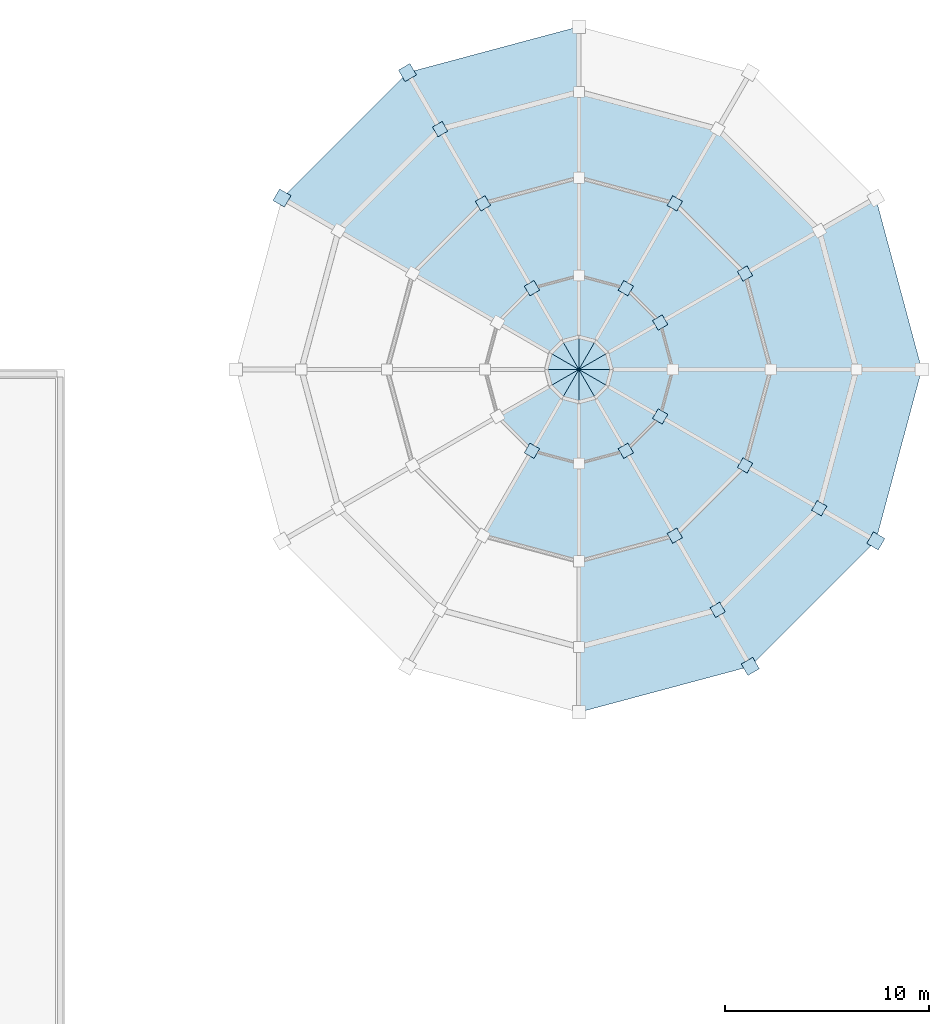
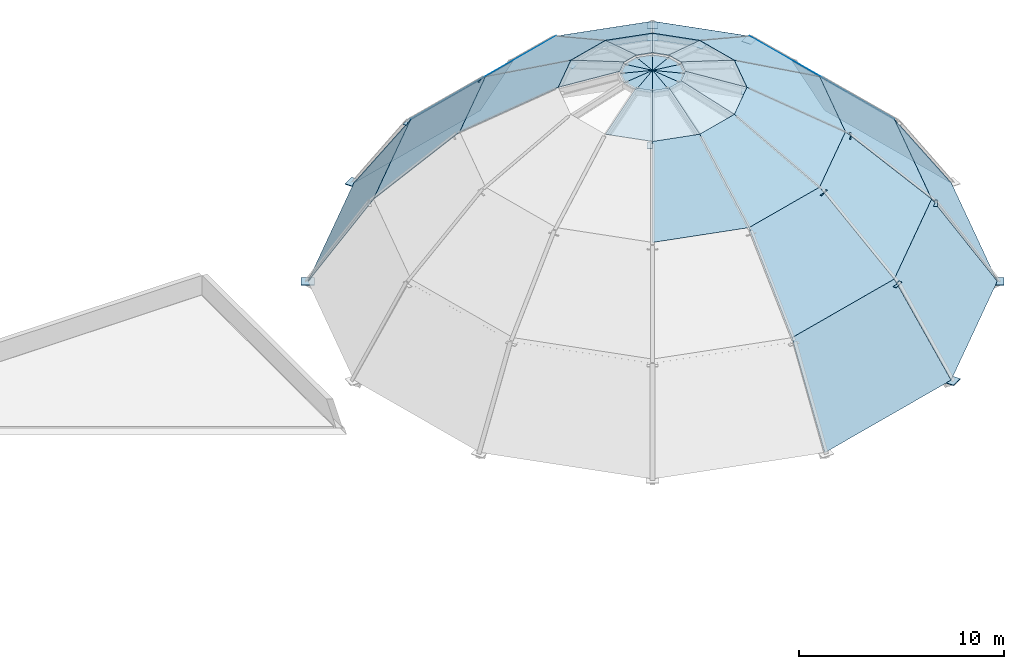
# One storey, part 3 of 5: 63 plates.
"""IFC4 building model written with IfcOpenShell, lengths in metres."""

from ifc_helpers import new_model, si_unit, derived_unit, direction, frame, origin, origin_2d, place, context, subcontext, project, spatial, polyline, rectangle, outline, extrude, material, layer, layer_set, type_object, element, save


model = new_model("IFC4")

# Units and contexts
model_context = context("Model", 3, precision=1e-05, world=origin(), true_north=direction((0.0, 1.0)))
body_context = subcontext(model_context, "Body", "Model", "MODEL_VIEW")
ifc_project = project(units=[si_unit("LENGTHUNIT", "METRE"), si_unit("AREAUNIT", "SQUARE_METRE"), si_unit("VOLUMEUNIT", "CUBIC_METRE"), si_unit("PLANEANGLEUNIT", "RADIAN"), si_unit("MASSUNIT", "GRAM", prefix="KILO"), derived_unit("THERMALTRANSMITTANCEUNIT", [(si_unit("POWERUNIT", "WATT"), 1), (si_unit("LENGTHUNIT", "METRE"), -2), (si_unit("THERMODYNAMICTEMPERATUREUNIT", "KELVIN"), -1)])], contexts=[model_context])

# Site, building, storey
site_placement = place(None, origin())
site = spatial("IfcSite", under=ifc_project, at=site_placement, CompositionType="ELEMENT")
building_placement = place(site_placement, origin())
building = spatial("IfcBuilding", under=site, at=building_placement, Name="Veybourne Emporium", CompositionType="ELEMENT")
storey_placement = place(building_placement, frame((0.0, 0.0, 36.60009765625)))
storey = spatial("IfcBuildingStorey", under=building, at=storey_placement, Name="ROOF", CompositionType="ELEMENT", Elevation=36.60009765625)

# Plates
ifc_material_1 = material(Name="Solar Control Laminated Glass", Category="glass")
ifc_layer_1 = layer(ifc_material_1, 0.031982421875)
ifc_layer_set_1 = layer_set([ifc_layer_1], Name="Solar Control Laminated Glass")
plate_type_1 = type_object("IfcPlateType", Name="GlazingPlate_DG-01", PredefinedType="SHEET", material=ifc_layer_set_1)
for number, where, z_axis, x_axis, name in (
    (1, (92.39990234375, 50.39990234375, -8.3740234375), (0.816962921341, 0.218897774716, 0.533531020071), (-0.258811250046, 0.965927914934, -5.17686e-07), "Atrium dome laminated glazing panel DG-01 sector 1 tier 1"),
    (2, (75.60009765625, 67.199951171875, -8.3740234375), (-0.218897774716, 0.816962921341, 0.533531020071), (-0.965927914934, -0.258811250046, -5.17686e-07), "Atrium dome laminated glazing panel DG-01 sector 4 tier 1"),
):
    element("IfcPlate", number, at=place(storey_placement, frame(where, z_axis=z_axis, x_axis=x_axis)), inside=storey, type_object=plate_type_1, Name=name, PredefinedType="SHEET", context=body_context, shape_type="SweptSolid", body=[
        extrude(outline(polyline([(0.0, 0.0), (8.696450850419716, 2.220446049250313e-16), (7.868097470250385, 5.793354693261335), (0.8281808262662878, 5.793345061327232), (0.0, 0.0)])), origin(), (0.0, 0.0, -1.0), 0.031982421875),
    ])
plate_1_placement = place(storey_placement, frame((67.199951171875, 64.94921875, -8.3740234375), z_axis=(-0.59805322622, 0.59805322622, 0.533539761608), x_axis=(-0.707106781187, -0.707106781187, 0.0)))
element("IfcPlate", 3, at=plate_1_placement, inside=storey, type_object=plate_type_1, Name="Atrium dome laminated glazing panel DG-01 sector 5 tier 1", PredefinedType="SHEET", context=body_context, shape_type="SweptSolid", body=[
    extrude(outline(polyline([(0.0, 0.0), (8.69623950085233, 0.0), (7.868116642123847, 5.793387649320011), (0.8281228587284835, 5.793387649320012), (0.0, 0.0)])), origin(), (0.0, 0.0, -1.0), 0.031982421875),
])
plate_2_placement = place(storey_placement, frame((75.60009765625, 33.60009765625, -8.3740234375), z_axis=(0.218904335615, -0.816961163334, 0.533531020141), x_axis=(0.96592589278, 0.258818796952, -8.6286e-07)))
element("IfcPlate", 4, at=plate_2_placement, inside=storey, type_object=plate_type_1, Name="Atrium dome laminated glazing panel DG-01 sector 10 tier 1", PredefinedType="SHEET", context=body_context, shape_type="SweptSolid", body=[
    extrude(outline(polyline([(0.0, 0.0), (8.696215028345277, 0.0), (7.867884106792175, 5.793357904414631), (0.8282032846798882, 5.7933418507557946), (0.0, 0.0)])), origin(), (0.0, 0.0, -1.0), 0.031982421875),
])
plate_3_placement = place(storey_placement, frame((84.0, 35.850830078125, -8.3740234375), z_axis=(0.59805322622, -0.59805322622, 0.533539761608), x_axis=(0.707106781187, 0.707106781187, 0.0)))
element("IfcPlate", 5, at=plate_3_placement, inside=storey, type_object=plate_type_1, Name="Atrium dome laminated glazing panel DG-01 sector 11 tier 1", PredefinedType="SHEET", context=body_context, shape_type="SweptSolid", body=[
    extrude(outline(polyline([(0.0, 0.0), (8.69623950085233, 0.0), (7.868116642123847, 5.793387649320011), (0.8281228587284835, 5.793387649320012), (0.0, 0.0)])), origin(), (0.0, 0.0, -1.0), 0.031982421875),
])
plate_4_placement = place(storey_placement, frame((90.149169921875, 42.0, -8.3740234375), z_axis=(0.816961163334, -0.218904335615, 0.533531020141), x_axis=(0.258818796952, 0.96592589278, 8.6286e-07)))
element("IfcPlate", 6, at=plate_4_placement, inside=storey, type_object=plate_type_1, Name="Atrium dome laminated glazing panel DG-01 sector 12 tier 1", PredefinedType="SHEET", context=body_context, shape_type="SweptSolid", body=[
    extrude(outline(polyline([(0.0, 0.0), (8.696215028345277, 0.0), (7.868011743665389, 5.7933418507557946), (0.8283309215531014, 5.793357904414631), (0.0, 0.0)])), origin(), (0.0, 0.0, -1.0), 0.031982421875),
])
ifc_layer_2 = layer(ifc_material_1, 0.030029296875)
ifc_layer_set_2 = layer_set([ifc_layer_2], Name="Solar Control Laminated Glass")
plate_type_2 = type_object("IfcPlateType", Name="GlazingPlate_DG-02", PredefinedType="SHEET", material=ifc_layer_set_2)
plate_5_placement = place(storey_placement, frame((89.199951171875, 50.39990234375, -3.47607421875), z_axis=(0.67818352072, 0.181707976117, 0.712073959388), x_axis=(-0.25880890424, 0.965928543459, 4.231534e-06)))
element("IfcPlate", 7, at=plate_5_placement, inside=storey, type_object=plate_type_2, Name="Atrium dome laminated glazing panel DG-02 sector 1 tier 2", PredefinedType="SHEET", context=body_context, shape_type="SweptSolid", body=[
    extrude(outline(polyline([(0.0, 0.0), (7.039916643871438, 0.0), (5.952966688432136, 5.697122042564775), (1.0870016867875552, 5.697193798468244), (0.0, 0.0)])), origin(), (0.0, 0.0, -1.0), 0.030029296875),
])
plate_6_placement = place(storey_placement, frame((87.3779296875, 57.199951171875, -3.47607421875), z_axis=(0.49645544555, 0.496469843075, 0.712074213478), x_axis=(-0.707111835431, 0.707101726869, -7.249334e-06)))
element("IfcPlate", 8, at=plate_6_placement, inside=storey, type_object=plate_type_2, Name="Atrium dome laminated glazing panel DG-02 sector 2 tier 2", PredefinedType="SHEET", context=body_context, shape_type="SweptSolid", body=[
    extrude(outline(polyline([(0.0, 0.0), (7.0399937830305355, 0.0), (5.952748054232931, 5.6972214749763825), (1.087073095306095, 5.697098547118697), (0.0, 0.0)])), origin(), (0.0, 0.0, -1.0), 0.030029296875),
])
plate_7_placement = place(storey_placement, frame((82.39990234375, 62.177978515625, -3.47607421875), z_axis=(0.181725929815, 0.678167998106, 0.712084161302), x_axis=(-0.965923484146, 0.258827785858, 6.490662e-06)))
element("IfcPlate", 9, at=plate_7_placement, inside=storey, type_object=plate_type_2, Name="Atrium dome laminated glazing panel DG-02 sector 3 tier 2", PredefinedType="SHEET", context=body_context, shape_type="SweptSolid", body=[
    extrude(outline(polyline([(0.0, 0.0), (7.039680821852201, -2.220446049250313e-16), (5.952642721969795, 5.697186850667692), (1.0868503536724998, 5.697296913402186), (0.0, 0.0)])), origin(), (0.0, 0.0, -1.0), 0.030029296875),
])
plate_8_placement = place(storey_placement, frame((75.60009765625, 64.0, -3.47607421875), z_axis=(-0.181718730893, 0.678169927011, 0.712084161417), x_axis=(-0.965926016454, -0.258818335336, -5.671048e-06)))
element("IfcPlate", 10, at=plate_8_placement, inside=storey, type_object=plate_type_2, Name="Atrium dome laminated glazing panel DG-02 sector 4 tier 2", PredefinedType="SHEET", context=body_context, shape_type="SweptSolid", body=[
    extrude(outline(polyline([(0.0, 0.0), (7.039916643772486, 2.220446049250313e-16), (5.953029875267367, 5.697289966656303), (1.0870016866049301, 5.697193798380815), (0.0, 0.0)])), origin(), (0.0, 0.0, -1.0), 0.030029296875),
])
plate_9_placement = place(storey_placement, frame((68.800048828125, 62.177978515625, -3.47607421875), z_axis=(-0.496457288348, 0.496457288348, 0.712081681896), x_axis=(-0.707106781187, -0.707106781187, 0.0)))
element("IfcPlate", 11, at=plate_9_placement, inside=storey, type_object=plate_type_2, Name="Atrium dome laminated glazing panel DG-02 sector 5 tier 2", PredefinedType="SHEET", context=body_context, shape_type="SweptSolid", body=[
    extrude(outline(polyline([(0.0, 0.0), (7.039993783395364, 0.0), (5.952748053924446, 5.697221475298704), (1.087245729470917, 5.697221475298704), (0.0, 0.0)])), origin(), (0.0, 0.0, -1.0), 0.030029296875),
])
plate_10_placement = place(storey_placement, frame((75.60009765625, 36.800048828125, -3.47607421875), z_axis=(0.181715174663, -0.678181591962, 0.712073959376), x_axis=(0.965926011338, 0.258818354465, 3.412284e-06)))
element("IfcPlate", 12, at=plate_10_placement, inside=storey, type_object=plate_type_2, Name="Atrium dome laminated glazing panel DG-02 sector 10 tier 2", PredefinedType="SHEET", context=body_context, shape_type="SweptSolid", body=[
    extrude(outline(polyline([(0.0, 0.0), (7.039680822063813, 0.0), (5.952767279132512, 5.697128989615), (1.0870381002729546, 5.697186850854652), (0.0, 0.0)])), origin(), (0.0, 0.0, -1.0), 0.030029296875),
])
plate_11_placement = place(storey_placement, frame((82.39990234375, 38.6220703125, -3.47607421875), z_axis=(0.496468000543, -0.496468000543, 0.712066744676), x_axis=(0.707106781187, 0.707106781187, 0.0)))
element("IfcPlate", 13, at=plate_11_placement, inside=storey, type_object=plate_type_2, Name="Atrium dome laminated glazing panel DG-02 sector 11 tier 2", PredefinedType="SHEET", context=body_context, shape_type="SweptSolid", body=[
    extrude(outline(polyline([(0.0, 0.0), (7.039993783395364, 0.0), (5.952920687415947, 5.697098547441042), (1.0870730959794168, 5.697098547441042), (0.0, 0.0)])), origin(), (0.0, 0.0, -1.0), 0.030029296875),
])
plate_12_placement = place(storey_placement, frame((87.3779296875, 43.60009765625, -3.47607421875), z_axis=(0.678181591962, -0.181715174663, 0.712073959376), x_axis=(0.258818354465, 0.965926011338, -3.412284e-06)))
element("IfcPlate", 14, at=plate_12_placement, inside=storey, type_object=plate_type_2, Name="Atrium dome laminated glazing panel DG-02 sector 12 tier 2", PredefinedType="SHEET", context=body_context, shape_type="SweptSolid", body=[
    extrude(outline(polyline([(0.0, 0.0), (7.039680822063813, 0.0), (5.952642721790858, 5.697186850854652), (1.0869135429313004, 5.697128989615001), (0.0, 0.0)])), origin(), (0.0, 0.0, -1.0), 0.030029296875),
])
ifc_layer_3 = layer(ifc_material_1, 0.028076171875)
ifc_layer_set_3 = layer_set([ifc_layer_3], Name="Solar Control Laminated Glass")
plate_type_3 = type_object("IfcPlateType", Name="GlazingPlate_DG-03", PredefinedType="SHEET", material=ifc_layer_set_3)
plate_13_placement = place(storey_placement, frame((85.0, 50.39990234375, 0.52197265625), z_axis=(0.479300578548, 0.128413038203, 0.868205647887), x_axis=(-0.258792339799, 0.965932981557, 1.070399e-06)))
element("IfcPlate", 15, at=plate_13_placement, inside=storey, type_object=plate_type_3, Name="Atrium dome laminated glazing panel DG-03 sector 1 tier 3", PredefinedType="SHEET", context=body_context, shape_type="SweptSolid", body=[
    extrude(outline(polyline([(0.0, 0.0), (4.865965002349795, -2.220446049250313e-16), (3.6233823964365315, 5.340334905330654), (1.2422187038329708, 5.3403505386451435), (0.0, 0.0)])), origin(), (0.0, 0.0, -1.0), 0.028076171875),
])
plate_14_placement = place(storey_placement, frame((83.74072265625, 55.10009765625, 0.52197265625), z_axis=(0.350861910494, 0.35087862696, 0.868205107625), x_axis=(-0.707129839078, 0.707083722525, 5.022547e-06)))
element("IfcPlate", 16, at=plate_14_placement, inside=storey, type_object=plate_type_3, Name="Atrium dome laminated glazing panel DG-03 sector 2 tier 3", PredefinedType="SHEET", context=body_context, shape_type="SweptSolid", body=[
    extrude(outline(polyline([(0.0, 0.0), (4.865674960926119, 4.440892098500626e-16), (3.6237414899771156, 5.340295869109022), (1.2424351095136743, 5.340369222394891), (0.0, 0.0)])), origin(), (0.0, 0.0, -1.0), 0.028076171875),
])
plate_15_placement = place(storey_placement, frame((80.300048828125, 58.54052734375, 0.52197265625), z_axis=(0.128439455159, 0.479303347503, 0.868200211605), x_axis=(-0.965917807937, 0.258848968076, -6.012342e-06)))
element("IfcPlate", 17, at=plate_15_placement, inside=storey, type_object=plate_type_3, Name="Atrium dome laminated glazing panel DG-03 sector 3 tier 3", PredefinedType="SHEET", context=body_context, shape_type="SweptSolid", body=[
    extrude(outline(polyline([(0.0, 0.0), (4.86579236984851, 2.220446049250313e-16), (3.6232887518560117, 5.340284256660507), (1.242360884133728, 5.3401964522962695), (0.0, 0.0)])), origin(), (0.0, 0.0, -1.0), 0.028076171875),
])
plate_16_placement = place(storey_placement, frame((75.60009765625, 59.800048828125, 0.52197265625), z_axis=(-0.128431096425, 0.479305587374, 0.868200211578), x_axis=(-0.965921453323, -0.25883536456, 7.930351e-06)))
element("IfcPlate", 18, at=plate_16_placement, inside=storey, type_object=plate_type_3, Name="Atrium dome laminated glazing panel DG-03 sector 4 tier 3", PredefinedType="SHEET", context=body_context, shape_type="SweptSolid", body=[
    extrude(outline(polyline([(0.0, 0.0), (4.866028189732731, 2.220446049250313e-16), (3.6236070924207513, 5.3401824436677385), (1.2424434029900202, 5.340298266219493), (0.0, 0.0)])), origin(), (0.0, 0.0, -1.0), 0.028076171875),
])
plate_17_placement = place(storey_placement, frame((70.89990234375, 58.54052734375, 0.52197265625), z_axis=(-0.350875192439, 0.350875192439, 0.868201128001), x_axis=(-0.707106781187, -0.707106781187, 0.0)))
element("IfcPlate", 19, at=plate_17_placement, inside=storey, type_object=plate_type_3, Name="Atrium dome laminated glazing panel DG-03 sector 5 tier 3", PredefinedType="SHEET", context=body_context, shape_type="SweptSolid", body=[
    extrude(outline(polyline([(0.0, 0.0), (4.865502324453529, 0.0), (3.6234043531065545, 5.340257610476704), (1.242097971346975, 5.340257610476704), (0.0, 0.0)])), origin(), (0.0, 0.0, -1.0), 0.028076171875),
])
plate_18_placement = place(storey_placement, frame((70.89990234375, 42.25927734375, 0.52197265625), z_axis=(-0.128413038203, -0.479300578548, 0.868205647887), x_axis=(0.965932981557, -0.258792339799, -1.070399e-06)))
element("IfcPlate", 20, at=plate_18_placement, inside=storey, type_object=plate_type_3, Name="Atrium dome laminated glazing panel DG-03 sector 9 tier 3", PredefinedType="SHEET", context=body_context, shape_type="SweptSolid", body=[
    extrude(outline(polyline([(0.0, 0.0), (4.865965002349795, 2.220446049250313e-16), (3.6237462985168247, 5.3403505386451435), (1.2425826059132636, 5.340334905330654), (0.0, 0.0)])), origin(), (0.0, 0.0, -1.0), 0.028076171875),
])
plate_19_placement = place(storey_placement, frame((75.60009765625, 41.0, 0.52197265625), z_axis=(0.128421395865, -0.479298339083, 0.86820564801), x_axis=(0.965929337326, 0.258805941378, -8.47678e-07)))
element("IfcPlate", 21, at=plate_19_placement, inside=storey, type_object=plate_type_3, Name="Atrium dome laminated glazing panel DG-03 sector 10 tier 3", PredefinedType="SHEET", context=body_context, shape_type="SweptSolid", body=[
    extrude(outline(polyline([(0.0, 0.0), (4.865729179318212, 0.0), (3.623206778903744, 5.3403489135161255), (1.2422789093609097, 5.3403365338834625), (0.0, 0.0)])), origin(), (0.0, 0.0, -1.0), 0.028076171875),
])
plate_20_placement = place(storey_placement, frame((80.300048828125, 42.25927734375, 0.52197265625), z_axis=(0.350865344946, -0.350865344946, 0.868209087393), x_axis=(0.707106781187, 0.707106781187, 0.0)))
element("IfcPlate", 22, at=plate_20_placement, inside=storey, type_object=plate_type_3, Name="Atrium dome laminated glazing panel DG-03 sector 11 tier 3", PredefinedType="SHEET", context=body_context, shape_type="SweptSolid", body=[
    extrude(outline(polyline([(0.0, 0.0), (4.8658475914365305, 0.0), (3.6235769865980547, 5.340407491755794), (1.2422706048384757, 5.340407491755794), (0.0, 0.0)])), origin(), (0.0, 0.0, -1.0), 0.028076171875),
])
plate_21_placement = place(storey_placement, frame((83.74072265625, 45.699951171875, 0.52197265625), z_axis=(0.479298339083, -0.128421395865, 0.86820564801), x_axis=(0.258805941378, 0.965929337326, 8.47678e-07)))
element("IfcPlate", 23, at=plate_21_placement, inside=storey, type_object=plate_type_3, Name="Atrium dome laminated glazing panel DG-03 sector 12 tier 3", PredefinedType="SHEET", context=body_context, shape_type="SweptSolid", body=[
    extrude(outline(polyline([(0.0, 0.0), (4.865729179318212, 0.0), (3.623450269957302, 5.3403365338834625), (1.2425224004144677, 5.3403489135161255), (0.0, 0.0)])), origin(), (0.0, 0.0, -1.0), 0.028076171875),
])
ifc_layer_4 = layer(ifc_material_1, 0.02587890625)
ifc_layer_set_4 = layer_set([ifc_layer_4], Name="Solar Control Laminated Glass")
plate_type_4 = type_object("IfcPlateType", Name="GlazingPlate_DG-04", PredefinedType="SHEET", material=ifc_layer_set_4)
plate_22_placement = place(storey_placement, frame((80.199951171875, 50.39990234375, 3.169921875), z_axis=(0.300894240215, 0.08061444363, 0.950244162141), x_axis=(-0.2587859845, 0.965934684244, -1.131255e-06)))
element("IfcPlate", 24, at=plate_22_placement, inside=storey, type_object=plate_type_4, Name="Atrium dome laminated glazing panel DG-04 sector 1 tier 4", PredefinedType="SHEET", context=body_context, shape_type="SweptSolid", body=[
    extrude(outline(polyline([(0.0, 0.0), (2.3811636926607505, 1.1102230246251565e-16), (1.6046239820492443, 3.0495488702505376), (0.7763568788613069, 3.049537214985805), (0.0, 0.0)])), origin(), (0.0, 0.0, -1.0), 0.02587890625),
])
plate_23_placement = place(storey_placement, frame((79.583740234375, 52.699951171875, 3.169921875), z_axis=(0.22026700411, 0.22026700411, 0.950244649446), x_axis=(-0.707106781187, 0.707106781187, 0.0)))
element("IfcPlate", 25, at=plate_23_placement, inside=storey, type_object=plate_type_4, Name="Atrium dome laminated glazing panel DG-04 sector 2 tier 4", PredefinedType="SHEET", context=body_context, shape_type="SweptSolid", body=[
    extrude(outline(polyline([(0.0, 0.0), (2.3813063817595794, 0.0), (1.6048009369897818, 3.049557595529855), (0.7765054447697974, 3.0495575955298553), (0.0, 0.0)])), origin(), (0.0, 0.0, -1.0), 0.02587890625),
])
plate_24_placement = place(storey_placement, frame((77.89990234375, 54.3837890625, 3.169921875), z_axis=(0.080626292118, 0.30089106547, 0.950244162171), x_axis=(-0.965927494257, 0.258812820034, 4.932563e-06)))
element("IfcPlate", 26, at=plate_24_placement, inside=storey, type_object=plate_type_4, Name="Atrium dome laminated glazing panel DG-04 sector 3 tier 4", PredefinedType="SHEET", context=body_context, shape_type="SweptSolid", body=[
    extrude(outline(polyline([(0.0, 0.0), (2.3809278695476803, -1.1102230246251565e-16), (1.604494095139197, 3.049517637717765), (0.7764628140903757, 3.04956845018981), (0.0, 0.0)])), origin(), (0.0, 0.0, -1.0), 0.02587890625),
])
plate_25_placement = place(storey_placement, frame((75.60009765625, 55.0, 3.169921875), z_axis=(-0.08061444363, 0.300894240215, 0.950244162141), x_axis=(-0.965934684244, -0.2587859845, -1.131255e-06)))
element("IfcPlate", 27, at=plate_25_placement, inside=storey, type_object=plate_type_4, Name="Atrium dome laminated glazing panel DG-04 sector 4 tier 4", PredefinedType="SHEET", context=body_context, shape_type="SweptSolid", body=[
    extrude(outline(polyline([(0.0, 0.0), (2.3811636926607505, 1.1102230246251565e-16), (1.6046239820492443, 3.0495488702505376), (0.7763568788613069, 3.049537214985805), (0.0, 0.0)])), origin(), (0.0, 0.0, -1.0), 0.02587890625),
])
for number, where, z_axis, x_axis, name in (
    (28, (73.300048828125, 54.3837890625, 3.169921875), (-0.22026700411, 0.22026700411, 0.950244649446), (-0.707106781187, -0.707106781187, 0.0), "Atrium dome laminated glazing panel DG-04 sector 5 tier 4"),
    (29, (71.6162109375, 48.10009765625, 3.169921875), (-0.22026700411, -0.22026700411, 0.950244649446), (0.707106781187, -0.707106781187, 0.0), "Atrium dome laminated glazing panel DG-04 sector 8 tier 4"),
):
    element("IfcPlate", number, at=place(storey_placement, frame(where, z_axis=z_axis, x_axis=x_axis)), inside=storey, type_object=plate_type_4, Name=name, PredefinedType="SHEET", context=body_context, shape_type="SweptSolid", body=[
        extrude(outline(polyline([(0.0, 0.0), (2.3813063817595794, 0.0), (1.6048009369897818, 3.049557595529855), (0.7765054447697974, 3.0495575955298553), (0.0, 0.0)])), origin(), (0.0, 0.0, -1.0), 0.02587890625),
    ])
plate_26_placement = place(storey_placement, frame((73.300048828125, 46.416259765625, 3.169921875), z_axis=(-0.08061444363, -0.300894240215, 0.950244162141), x_axis=(0.965934684244, -0.2587859845, 1.131255e-06)))
element("IfcPlate", 30, at=plate_26_placement, inside=storey, type_object=plate_type_4, Name="Atrium dome laminated glazing panel DG-04 sector 9 tier 4", PredefinedType="SHEET", context=body_context, shape_type="SweptSolid", body=[
    extrude(outline(polyline([(0.0, 0.0), (2.3811636926607505, -1.1102230246251565e-16), (1.6048068137994433, 3.049537214985805), (0.776539710611506, 3.049548870250538), (0.0, 0.0)])), origin(), (0.0, 0.0, -1.0), 0.02587890625),
])
plate_27_placement = place(storey_placement, frame((75.60009765625, 45.800048828125, 3.169921875), z_axis=(0.080626292118, -0.30089106547, 0.950244162171), x_axis=(0.965927494257, 0.258812820034, -4.932563e-06)))
element("IfcPlate", 31, at=plate_27_placement, inside=storey, type_object=plate_type_4, Name="Atrium dome laminated glazing panel DG-04 sector 10 tier 4", PredefinedType="SHEET", context=body_context, shape_type="SweptSolid", body=[
    extrude(outline(polyline([(0.0, 0.0), (2.3809278695476803, 1.1102230246251565e-16), (1.6044650554573048, 3.04956845018981), (0.7764337744084833, 3.049517637717765), (0.0, 0.0)])), origin(), (0.0, 0.0, -1.0), 0.02587890625),
])
plate_28_placement = place(storey_placement, frame((77.89990234375, 46.416259765625, 3.169921875), z_axis=(0.22026700411, -0.22026700411, 0.950244649446), x_axis=(0.707106781187, 0.707106781187, 0.0)))
element("IfcPlate", 32, at=plate_28_placement, inside=storey, type_object=plate_type_4, Name="Atrium dome laminated glazing panel DG-04 sector 11 tier 4", PredefinedType="SHEET", context=body_context, shape_type="SweptSolid", body=[
    extrude(outline(polyline([(0.0, 0.0), (2.3813063817595794, 0.0), (1.6048009369897818, 3.049557595529855), (0.7765054447697974, 3.0495575955298553), (0.0, 0.0)])), origin(), (0.0, 0.0, -1.0), 0.02587890625),
])
plate_29_placement = place(storey_placement, frame((79.583740234375, 48.10009765625, 3.169921875), z_axis=(0.30089106547, -0.080626292118, 0.950244162171), x_axis=(0.258812820034, 0.965927494257, 4.932563e-06)))
element("IfcPlate", 33, at=plate_29_placement, inside=storey, type_object=plate_type_4, Name="Atrium dome laminated glazing panel DG-04 sector 12 tier 4", PredefinedType="SHEET", context=body_context, shape_type="SweptSolid", body=[
    extrude(outline(polyline([(0.0, 0.0), (2.3809278695476803, -1.1102230246251565e-16), (1.604494095139197, 3.049517637717765), (0.7764628140903757, 3.04956845018981), (0.0, 0.0)])), origin(), (0.0, 0.0, -1.0), 0.02587890625),
])
plate_30_placement = place(storey_placement, frame((77.199951171875, 50.39990234375, 3.989990234375), z_axis=(0.117837482265, 0.031571958935, 0.992530875682), x_axis=(-0.258799930484, 0.965930947833, 0.0)))
element("IfcPlate", 34, at=plate_30_placement, inside=storey, type_object=plate_type_4, Name="Atrium dome oculus laminated glass cap 01", PredefinedType="SHEET", context=body_context, shape_type="SweptSolid", body=[
    extrude(outline(polyline([(0.0, 0.0), (0.8282671032747939, -2.7755575615628914e-17), (0.4140419786289112, 1.556977279602678), (0.0, 0.0)])), origin(), (0.0, 0.0, -1.0), 0.02587890625),
])
plate_31_placement = place(storey_placement, frame((76.985595703125, 51.199951171875, 3.989990234375), z_axis=(0.086258882869, 0.086258882869, 0.992531515999), x_axis=(-0.707106781187, 0.707106781187, 0.0)))
element("IfcPlate", 35, at=plate_31_placement, inside=storey, type_object=plate_type_4, Name="Atrium dome oculus laminated glass cap 02", PredefinedType="SHEET", context=body_context, shape_type="SweptSolid", body=[
    extrude(outline(polyline([(0.0, 0.0), (0.8282954922199842, 0.0), (0.4139751126184915, 1.5570437724159718), (0.0, 0.0)])), origin(), (0.0, 0.0, -1.0), 0.02587890625),
])
plate_32_placement = place(storey_placement, frame((76.39990234375, 51.78564453125, 3.989990234375), z_axis=(0.031576839701, 0.117819734464, 0.992532827349), x_axis=(-0.965911197089, 0.25887363585, 0.0)))
element("IfcPlate", 36, at=plate_32_placement, inside=storey, type_object=plate_type_4, Name="Atrium dome oculus laminated glass cap 03", PredefinedType="SHEET", context=body_context, shape_type="SweptSolid", body=[
    extrude(outline(polyline([(0.0, 0.0), (0.8280312827001193, -2.7755575615628914e-17), (0.4138081847118485, 1.5571799743247312), (0.0, 0.0)])), origin(), (0.0, 0.0, -1.0), 0.02587890625),
])
plate_33_placement = place(storey_placement, frame((75.60009765625, 52.0, 3.989990234375), z_axis=(-0.031567213406, 0.117819770308, 0.992533129302), x_axis=(-0.965930947833, -0.258799930484, 0.0)))
element("IfcPlate", 37, at=plate_33_placement, inside=storey, type_object=plate_type_4, Name="Atrium dome oculus laminated glass cap 04", PredefinedType="SHEET", context=body_context, shape_type="SweptSolid", body=[
    extrude(outline(polyline([(0.0, 0.0), (0.8282671032747939, -5.551115123125783e-17), (0.4141051622056896, 1.5572113414625424), (0.0, 0.0)])), origin(), (0.0, 0.0, -1.0), 0.02587890625),
])
plate_34_placement = place(storey_placement, frame((74.800048828125, 51.78564453125, 3.989990234375), z_axis=(-0.086249391586, 0.086249391586, 0.992533165643), x_axis=(-0.707106781187, -0.707106781187, 0.0)))
element("IfcPlate", 38, at=plate_34_placement, inside=storey, type_object=plate_type_4, Name="Atrium dome oculus laminated glass cap 05", PredefinedType="SHEET", context=body_context, shape_type="SweptSolid", body=[
    extrude(outline(polyline([(0.0, 0.0), (0.8282954922199842, 0.0), (0.41414774610999205, 1.557215116739403), (0.0, 0.0)])), origin(), (0.0, 0.0, -1.0), 0.02587890625),
])
plate_35_placement = place(storey_placement, frame((74.21435546875, 51.199951171875, 3.989990234375), z_axis=(-0.117819770308, 0.031567213406, 0.992533129302), x_axis=(-0.258799930484, -0.965930947833, 0.0)))
element("IfcPlate", 39, at=plate_35_placement, inside=storey, type_object=plate_type_4, Name="Atrium dome oculus laminated glass cap 06", PredefinedType="SHEET", context=body_context, shape_type="SweptSolid", body=[
    extrude(outline(polyline([(0.0, 0.0), (0.8282671032747939, 5.551115123125783e-17), (0.4141619410691043, 1.5572113414625424), (0.0, 0.0)])), origin(), (0.0, 0.0, -1.0), 0.02587890625),
])
plate_36_placement = place(storey_placement, frame((74.0, 50.39990234375, 3.989990234375), z_axis=(-0.117819734464, -0.031576839701, 0.992532827349), x_axis=(0.25887363585, -0.965911197089, 0.0)))
element("IfcPlate", 40, at=plate_36_placement, inside=storey, type_object=plate_type_4, Name="Atrium dome oculus laminated glass cap 07", PredefinedType="SHEET", context=body_context, shape_type="SweptSolid", body=[
    extrude(outline(polyline([(0.0, 0.0), (0.8280312827001193, 2.7755575615628914e-17), (0.41422309798827084, 1.5571799743247312), (0.0, 0.0)])), origin(), (0.0, 0.0, -1.0), 0.02587890625),
])
plate_37_placement = place(storey_placement, frame((74.21435546875, 49.60009765625, 3.989990234375), z_axis=(-0.086258882869, -0.086258882869, 0.992531515999), x_axis=(0.707106781187, -0.707106781187, 0.0)))
element("IfcPlate", 41, at=plate_37_placement, inside=storey, type_object=plate_type_4, Name="Atrium dome oculus laminated glass cap 08", PredefinedType="SHEET", context=body_context, shape_type="SweptSolid", body=[
    extrude(outline(polyline([(0.0, 0.0), (0.8282954922199842, 0.0), (0.4143203796014927, 1.5570437724159718), (0.0, 0.0)])), origin(), (0.0, 0.0, -1.0), 0.02587890625),
])
plate_38_placement = place(storey_placement, frame((74.800048828125, 49.014404296875, 3.989990234375), z_axis=(-0.031571958935, -0.117837482265, 0.992530875682), x_axis=(0.965930947833, -0.258799930484, 0.0)))
element("IfcPlate", 42, at=plate_38_placement, inside=storey, type_object=plate_type_4, Name="Atrium dome oculus laminated glass cap 09", PredefinedType="SHEET", context=body_context, shape_type="SweptSolid", body=[
    extrude(outline(polyline([(0.0, 0.0), (0.8282671032747939, 2.7755575615628914e-17), (0.4142251246458827, 1.556977279602678), (0.0, 0.0)])), origin(), (0.0, 0.0, -1.0), 0.02587890625),
])
plate_39_placement = place(storey_placement, frame((75.60009765625, 48.800048828125, 3.989990234375), z_axis=(0.031581586674, -0.117837446405, 0.992530573639), x_axis=(0.965911197089, 0.25887363585, 0.0)))
element("IfcPlate", 43, at=plate_39_placement, inside=storey, type_object=plate_type_4, Name="Atrium dome oculus laminated glass cap 10", PredefinedType="SHEET", context=body_context, shape_type="SweptSolid", body=[
    extrude(outline(polyline([(0.0, 0.0), (0.8280312827001193, 0.0), (0.41415989641701845, 1.5569459173220321), (0.0, 0.0)])), origin(), (0.0, 0.0, -1.0), 0.02587890625),
])
plate_40_placement = place(storey_placement, frame((76.39990234375, 49.014404296875, 3.989990234375), z_axis=(0.086268376226, -0.086268376226, 0.992529865811), x_axis=(0.707106781187, 0.707106781187, 0.0)))
element("IfcPlate", 44, at=plate_40_placement, inside=storey, type_object=plate_type_4, Name="Atrium dome oculus laminated glass cap 11", PredefinedType="SHEET", context=body_context, shape_type="SweptSolid", body=[
    extrude(outline(polyline([(0.0, 0.0), (0.8282954922199842, 0.0), (0.41414774610999217, 1.5568724283773714), (0.0, 0.0)])), origin(), (0.0, 0.0, -1.0), 0.02587890625),
])
plate_41_placement = place(storey_placement, frame((76.985595703125, 49.60009765625, 3.989990234375), z_axis=(0.117837446405, -0.031581586674, 0.992530573639), x_axis=(0.25887363585, 0.965911197089, 0.0)))
element("IfcPlate", 45, at=plate_41_placement, inside=storey, type_object=plate_type_4, Name="Atrium dome oculus laminated glass cap 12", PredefinedType="SHEET", context=body_context, shape_type="SweptSolid", body=[
    extrude(outline(polyline([(0.0, 0.0), (0.8280312827001193, 0.0), (0.4138713862831009, 1.5569459173220321), (0.0, 0.0)])), origin(), (0.0, 0.0, -1.0), 0.02587890625),
])
ifc_material_2 = material(Name="Steel S355", Category="steel")
ifc_layer_5 = layer(ifc_material_2, 0.034912109375)
ifc_layer_set_5 = layer_set([ifc_layer_5], Name="Steel S355")
plate_type_5 = type_object("IfcPlateType", Name="NodePlate_BP-01", PredefinedType="USERDEFINED", material=ifc_layer_set_5)
for number, where, z_axis, x_axis, name in (
    (46, (67.199951171875, 64.94921875, -8.39990234375), (0.0, 0.0, 1.0), (-0.5, 0.866025403784, 0.0), "Dome rib base shoe plate BP-01.05"),
    (47, (61.05078125, 58.800048828125, -8.39990234375), (0.0, 0.0, 1.0), (-0.866025403784, 0.5, 0.0), "Dome rib base shoe plate BP-01.06"),
    (48, (84.0, 35.850830078125, -8.39990234375), (0.0, 0.0, 1.0), (0.5, -0.866025403784, 0.0), "Dome rib base shoe plate BP-01.11"),
    (49, (90.149169921875, 42.0, -8.39990234375), (0.0, 0.0, 1.0), (0.866025403784, -0.5, 0.0), "Dome rib base shoe plate BP-01.12"),
):
    element("IfcPlate", number, at=place(storey_placement, frame(where, z_axis=z_axis, x_axis=x_axis)), inside=storey, type_object=plate_type_5, Name=name, ObjectType="BASE_PLATE", PredefinedType="USERDEFINED", context=body_context, shape_type="SweptSolid", body=[
        extrude(rectangle(XDim=0.64990234375, YDim=0.64990234375, at=origin_2d()), origin(), (0.0, 0.0, 1.0), 0.034912109375),
    ])
ifc_layer_6 = layer(ifc_material_2, 0.02490234375)
ifc_layer_set_6 = layer_set([ifc_layer_6], Name="Steel S355")
plate_type_6 = type_object("IfcPlateType", Name="NodePlate_GP-01", PredefinedType="USERDEFINED", material=ifc_layer_set_6)
for number, where, z_axis, x_axis, name in (
    (50, (83.74072265625, 55.10009765625, 0.257568359375), (0.0, 0.0, 1.0), (0.866025403784, 0.5, 0.0), "Dome ring node gusset plate GP-01.2.02"),
    (51, (79.583740234375, 52.699951171875, 2.907470703125), (0.0, 0.0, 1.0), (0.866025403784, 0.5, 0.0), "Dome ring node gusset plate GP-01.3.02"),
    (52, (80.300048828125, 58.54052734375, 0.257568359375), (0.0, 0.0, 1.0), (0.5, 0.866025403784, 0.0), "Dome ring node gusset plate GP-01.2.03"),
    (53, (77.89990234375, 54.3837890625, 2.907470703125), (0.0, 0.0, 1.0), (0.5, 0.866025403784, 0.0), "Dome ring node gusset plate GP-01.3.03"),
    (54, (68.800048828125, 62.177978515625, -3.742431640625), (0.0, 0.0, 1.0), (-0.5, 0.866025403784, 0.0), "Dome ring node gusset plate GP-01.1.05"),
    (55, (70.89990234375, 58.54052734375, 0.257568359375), (0.0, 0.0, 1.0), (-0.5, 0.866025403784, 0.0), "Dome ring node gusset plate GP-01.2.05"),
    (56, (73.300048828125, 54.3837890625, 2.907470703125), (0.0, 0.0, 1.0), (-0.5, 0.866025403784, 0.0), "Dome ring node gusset plate GP-01.3.05"),
    (57, (73.300048828125, 46.416259765625, 2.907470703125), (0.0, 0.0, 1.0), (-0.5, -0.866025403784, 0.0), "Dome ring node gusset plate GP-01.3.09"),
    (58, (82.39990234375, 38.6220703125, -3.742431640625), (0.0, 0.0, 1.0), (0.5, -0.866025403784, 0.0), "Dome ring node gusset plate GP-01.1.11"),
    (59, (80.300048828125, 42.25927734375, 0.257568359375), (0.0, 0.0, 1.0), (0.5, -0.866025403784, 0.0), "Dome ring node gusset plate GP-01.2.11"),
    (60, (77.89990234375, 46.416259765625, 2.907470703125), (0.0, 0.0, 1.0), (0.5, -0.866025403784, 0.0), "Dome ring node gusset plate GP-01.3.11"),
    (61, (87.3779296875, 43.60009765625, -3.742431640625), (0.0, 0.0, 1.0), (0.866025403784, -0.5, 0.0), "Dome ring node gusset plate GP-01.1.12"),
    (62, (83.74072265625, 45.699951171875, 0.257568359375), (0.0, 0.0, 1.0), (0.866025403784, -0.5, 0.0), "Dome ring node gusset plate GP-01.2.12"),
    (63, (79.583740234375, 48.10009765625, 2.907470703125), (0.0, 0.0, 1.0), (0.866025403784, -0.5, 0.0), "Dome ring node gusset plate GP-01.3.12"),
):
    element("IfcPlate", number, at=place(storey_placement, frame(where, z_axis=z_axis, x_axis=x_axis)), inside=storey, type_object=plate_type_6, Name=name, ObjectType="GUSSET_PLATE", PredefinedType="USERDEFINED", context=body_context, shape_type="SweptSolid", body=[
        extrude(rectangle(XDim=0.550048828125, YDim=0.550048828125, at=origin_2d()), origin(), (0.0, 0.0, 1.0), 0.02490234375),
    ])

save(model, "model.ifc")
